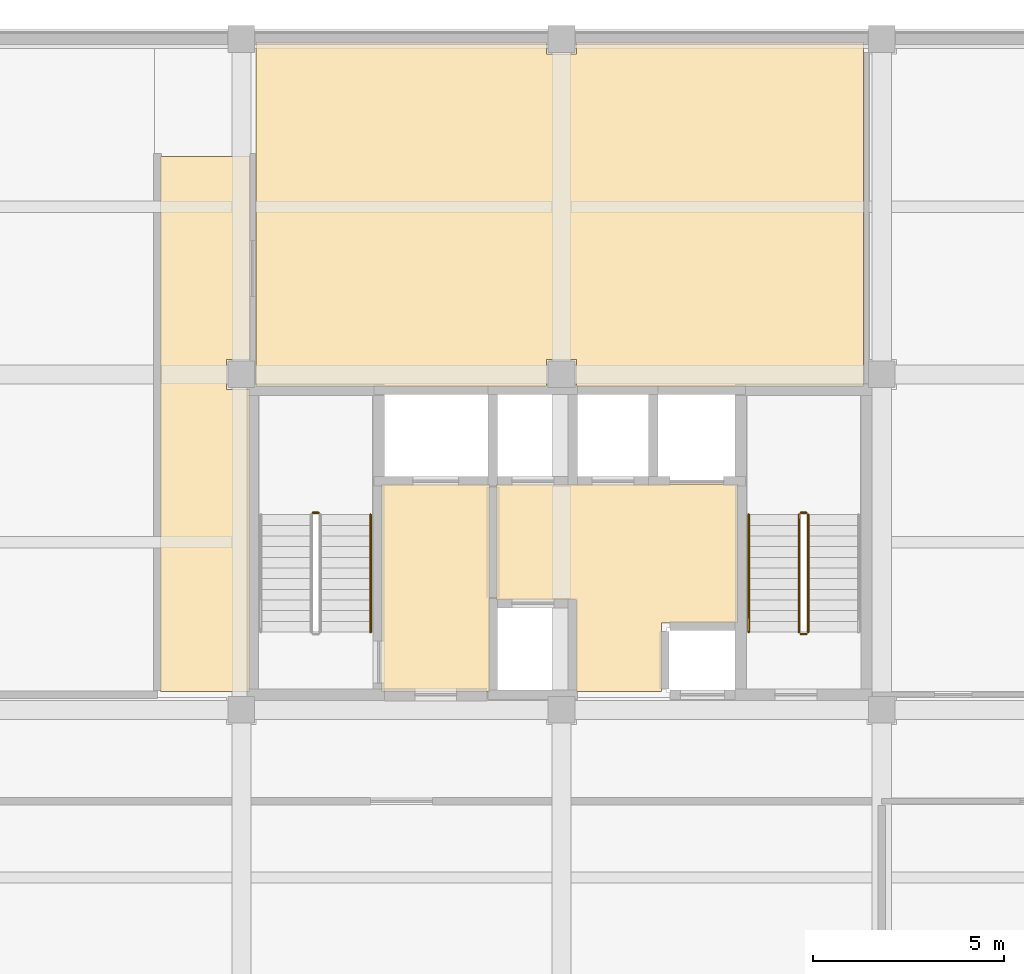
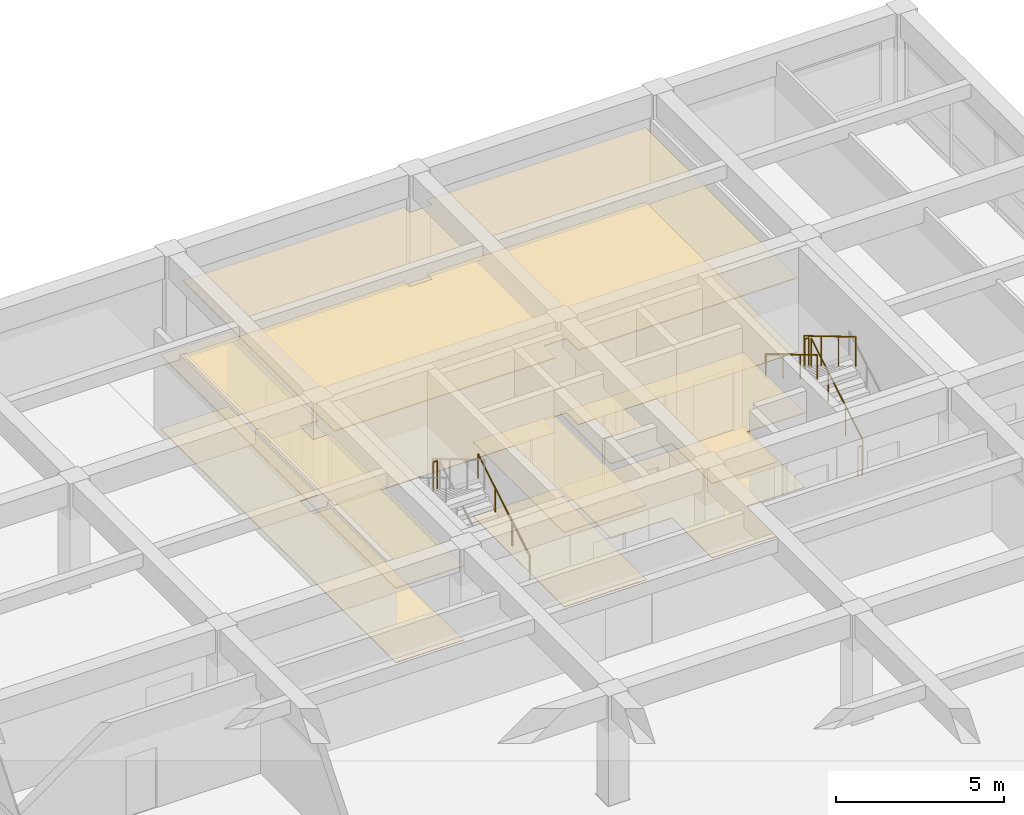
# One storey, part 13 of 14: 8 coverings, 7 railings.
"""IFC4 building model written with IfcOpenShell, lengths in metres."""

from ifc_helpers import new_model, si_unit, direction, frame, origin, origin_2d, place, context, subcontext, project, spatial, polyline, circle, outline, extrude, material, layer, layer_set, type_object, element, save


model = new_model("IFC4")

# Units and contexts
model_context = context("Model", 3, precision=1e-05, world=origin(), true_north=direction((0.0, 1.0)))
body_context = subcontext(model_context, "Body", "Model", "MODEL_VIEW")
ifc_project = project(units=[si_unit("LENGTHUNIT", "METRE"), si_unit("AREAUNIT", "SQUARE_METRE"), si_unit("VOLUMEUNIT", "CUBIC_METRE"), si_unit("PLANEANGLEUNIT", "RADIAN"), si_unit("MASSUNIT", "GRAM", prefix="KILO")], contexts=[model_context])

# Site, building, storey
site_placement = place(None, origin())
site = spatial("IfcSite", under=ifc_project, at=site_placement, CompositionType="ELEMENT")
building_placement = place(site_placement, origin())
building = spatial("IfcBuilding", under=site, at=building_placement, Name="Kemercrest Conservatory and Botanical Centre", CompositionType="ELEMENT")
storey_placement = place(building_placement, frame((0.0, 0.0, 28.800048828125)))
storey = spatial("IfcBuildingStorey", under=building, at=storey_placement, Name="L07", CompositionType="ELEMENT", Elevation=28.800048828125)

# Coverings
ifc_material_1 = material(Name="Perforated acoustic gypsum and mineral-fibre suspended ceiling", Category="gypsum")
ifc_layer_1 = layer(ifc_material_1, 0.034912109375)
ifc_layer_set_1 = layer_set([ifc_layer_1], Name="Perforated acoustic gypsum and mineral-fibre suspended ceiling")
covering_type_1 = type_object("IfcCoveringType", Name="CV-CLG035", PredefinedType="CEILING", material=ifc_layer_set_1)
covering_1_placement = place(storey_placement, frame((0.0, 0.0, 2.699951171875)))
element("IfcCovering", 1, at=covering_1_placement, inside=storey, type_object=covering_type_1, Name="Firefighting Lobby suspended acoustic ceiling", PredefinedType="CEILING", context=body_context, shape_type="SweptSolid", body=[
    extrude(outline(polyline([(154.47998046875, 105.280029296875), (157.320068359375, 105.280029296875), (157.320068359375, 110.719970703125), (154.47998046875, 110.719970703125), (154.47998046875, 105.280029296875)])), origin(), (0.0, 0.0, 1.0), 0.034912109375),
])
covering_2_placement = place(storey_placement, frame((0.0, 0.0, 2.699951171875)))
element("IfcCovering", 2, at=covering_2_placement, inside=storey, type_object=covering_type_1, Name="Tower Lift Lobby suspended acoustic ceiling", PredefinedType="CEILING", context=body_context, shape_type="SweptSolid", body=[
    extrude(outline(polyline([(159.580078125, 107.679931640625), (159.580078125, 105.280029296875), (161.820068359375, 105.280029296875), (161.820068359375, 107.080078125), (163.820068359375, 107.080078125), (163.820068359375, 110.719970703125), (157.47998046875, 110.719970703125), (157.47998046875, 107.679931640625), (159.580078125, 107.679931640625)])), origin(), (0.0, 0.0, 1.0), 0.034912109375),
])
covering_3_placement = place(storey_placement, frame((0.0, 0.0, 2.699951171875)))
element("IfcCovering", 3, at=covering_3_placement, inside=storey, type_object=covering_type_1, Name="Archival Conservation Office suspended acoustic ceiling", PredefinedType="CEILING", context=body_context, shape_type="SweptSolid", body=[
    extrude(outline(polyline([(159.590087890625, 113.280029296875), (167.1201171875, 113.280029296875), (167.1201171875, 122.320068359375), (159.590087890625, 122.320068359375), (159.590087890625, 122.010009765625), (158.81005859375, 122.010009765625), (158.81005859375, 122.320068359375), (151.18994140625, 122.320068359375), (151.18994140625, 122.010009765625), (151.179931640625, 122.010009765625), (151.179931640625, 113.989990234375), (151.18994140625, 113.989990234375), (151.18994140625, 113.280029296875), (158.81005859375, 113.280029296875), (158.81005859375, 113.989990234375), (159.590087890625, 113.989990234375), (159.590087890625, 113.280029296875)])), origin(), (0.0, 0.0, 1.0), 0.034912109375),
])
covering_4_placement = place(storey_placement, frame((0.0, 0.0, 2.699951171875)))
element("IfcCovering", 4, at=covering_4_placement, inside=storey, type_object=covering_type_1, Name="North Core Lobby Branch suspended acoustic ceiling", PredefinedType="CEILING", context=body_context, shape_type="SweptSolid", body=[
    extrude(outline(polyline([(148.679931640625, 105.280029296875), (151.02001953125, 105.280029296875), (151.02001953125, 113.2099609375), (150.409912109375, 113.2099609375), (150.409912109375, 113.989990234375), (151.02001953125, 113.989990234375), (151.02001953125, 119.320068359375), (148.679931640625, 119.320068359375), (148.679931640625, 105.280029296875)])), origin(), (0.0, 0.0, 1.0), 0.034912109375),
])
ifc_material_2 = material(Name="Polished limestone terrazzo and seamless laboratory epoxy flooring", Category="masonry")
ifc_layer_2 = layer(ifc_material_2, 0.02001953125)
ifc_layer_set_2 = layer_set([ifc_layer_2], Name="Polished limestone terrazzo and seamless laboratory epoxy flooring")
covering_type_2 = type_object("IfcCoveringType", Name="CV-FLR020", PredefinedType="FLOORING", material=ifc_layer_set_2)
covering_5_placement = place(storey_placement, origin())
element("IfcCovering", 5, at=covering_5_placement, inside=storey, type_object=covering_type_2, Name="Firefighting Lobby floor finish", PredefinedType="FLOORING", context=body_context, shape_type="SweptSolid", body=[
    extrude(outline(polyline([(154.47998046875, 105.280029296875), (157.320068359375, 105.280029296875), (157.320068359375, 110.719970703125), (154.47998046875, 110.719970703125), (154.47998046875, 105.280029296875)])), origin(), (0.0, 0.0, 1.0), 0.02001953125),
])
covering_6_placement = place(storey_placement, origin())
element("IfcCovering", 6, at=covering_6_placement, inside=storey, type_object=covering_type_2, Name="Tower Lift Lobby floor finish", PredefinedType="FLOORING", context=body_context, shape_type="SweptSolid", body=[
    extrude(outline(polyline([(159.580078125, 107.679931640625), (159.580078125, 105.280029296875), (161.820068359375, 105.280029296875), (161.820068359375, 107.080078125), (163.820068359375, 107.080078125), (163.820068359375, 110.719970703125), (157.47998046875, 110.719970703125), (157.47998046875, 107.679931640625), (159.580078125, 107.679931640625)])), origin(), (0.0, 0.0, 1.0), 0.02001953125),
])
covering_7_placement = place(storey_placement, origin())
element("IfcCovering", 7, at=covering_7_placement, inside=storey, type_object=covering_type_2, Name="Archival Conservation Office floor finish", PredefinedType="FLOORING", context=body_context, shape_type="SweptSolid", body=[
    extrude(outline(polyline([(159.590087890625, 113.280029296875), (167.1201171875, 113.280029296875), (167.1201171875, 122.320068359375), (159.590087890625, 122.320068359375), (159.590087890625, 122.010009765625), (158.81005859375, 122.010009765625), (158.81005859375, 122.320068359375), (151.18994140625, 122.320068359375), (151.18994140625, 122.010009765625), (151.179931640625, 122.010009765625), (151.179931640625, 113.989990234375), (151.18994140625, 113.989990234375), (151.18994140625, 113.280029296875), (158.81005859375, 113.280029296875), (158.81005859375, 113.989990234375), (159.590087890625, 113.989990234375), (159.590087890625, 113.280029296875)])), origin(), (0.0, 0.0, 1.0), 0.02001953125),
])
covering_8_placement = place(storey_placement, origin())
element("IfcCovering", 8, at=covering_8_placement, inside=storey, type_object=covering_type_2, Name="North Core Lobby Branch floor finish", PredefinedType="FLOORING", context=body_context, shape_type="SweptSolid", body=[
    extrude(outline(polyline([(148.679931640625, 105.280029296875), (151.02001953125, 105.280029296875), (151.02001953125, 113.2099609375), (150.409912109375, 113.2099609375), (150.409912109375, 113.989990234375), (151.02001953125, 113.989990234375), (151.02001953125, 119.320068359375), (148.679931640625, 119.320068359375), (148.679931640625, 105.280029296875)])), origin(), (0.0, 0.0, 1.0), 0.02001953125),
])

# Railings
ifc_material_3 = material(Name="Painted galvanized steel tubular stair guardrail", Category="steel")
railing_type_1 = type_object("IfcRailingType", Name="GR-STR110", PredefinedType="GUARDRAIL", material=ifc_material_3)
railing_1_placement = place(storey_placement, frame((152.820068359375, 109.969970703125, 2.0)))
element("IfcRailing", 9, at=railing_1_placement, inside=storey, type_object=railing_type_1, Name="L07 ST-V4A stair guard 2", PredefinedType="GUARDRAIL", context=body_context, shape_type="SweptSolid", body=[
    extrude(circle(Radius=0.02392578125, at=origin_2d()), frame((0.0, 0.0, 1.076171875), z_axis=(-1.0, 0.0, 0.0), x_axis=(0.0, -1.0, 0.0)), (0.0, 0.0, 1.0), 0.14013671875),
    extrude(circle(Radius=0.02099609375, at=origin_2d()), origin(), (0.0, 0.0, 1.0), 1.052001953125),
    extrude(circle(Radius=0.02099609375, at=origin_2d()), frame((-0.14013671875, 0.0, 0.0)), (0.0, 0.0, 1.0), 1.052001953125),
])
railing_2_placement = place(storey_placement, frame((165.669921875, 106.840087890625, 0.16650390625)))
element("IfcRailing", 10, at=railing_2_placement, inside=storey, type_object=railing_type_1, Name="L07 ST-V4B stair guard 1", PredefinedType="GUARDRAIL", context=body_context, shape_type="SweptSolid", body=[
    extrude(circle(Radius=0.02392578125, at=origin_2d()), frame((0.0, 0.0, 1.076171875), z_axis=(0.0, 0.859260807169, 0.511537745687), x_axis=(-1.0, 0.0, 0.0)), (0.0, 0.0, 1.0), 3.584228515625),
    extrude(circle(Radius=0.02099609375, at=origin_2d()), origin(), (0.0, 0.0, 1.0), 1.052001953125),
    extrude(circle(Radius=0.02099609375, at=origin_2d()), frame((0.0, 1.026611328125, 0.611083984375)), (0.0, 0.0, 1.0), 1.052001953125),
    extrude(circle(Radius=0.02099609375, at=origin_2d()), frame((0.0, 2.05322265625, 1.222412109375)), (0.0, 0.0, 1.0), 1.052001953125),
    extrude(circle(Radius=0.02099609375, at=origin_2d()), frame((0.0, 3.079833984375, 1.83349609375)), (0.0, 0.0, 1.0), 1.052001953125),
])
railing_3_placement = place(storey_placement, frame((165.6201171875, 109.969970703125, 2.0)))
element("IfcRailing", 11, at=railing_3_placement, inside=storey, type_object=railing_type_1, Name="L07 ST-V4B stair guard 2", PredefinedType="GUARDRAIL", context=body_context, shape_type="SweptSolid", body=[
    extrude(circle(Radius=0.02392578125, at=origin_2d()), frame((0.0, 0.0, 1.076171875), z_axis=(-1.0, 0.0, 0.0), x_axis=(0.0, -1.0, 0.0)), (0.0, 0.0, 1.0), 0.14013671875),
    extrude(circle(Radius=0.02099609375, at=origin_2d()), origin(), (0.0, 0.0, 1.0), 1.052001953125),
    extrude(circle(Radius=0.02099609375, at=origin_2d()), frame((-0.14013671875, 0.0, 0.0)), (0.0, 0.0, 1.0), 1.052001953125),
])
railing_4_placement = place(storey_placement, frame((165.429931640625, 109.919921875, 2.16650390625)))
element("IfcRailing", 12, at=railing_4_placement, inside=storey, type_object=railing_type_1, Name="L07 ST-V4B stair guard 3", PredefinedType="GUARDRAIL", context=body_context, shape_type="SweptSolid", body=[
    extrude(circle(Radius=0.02392578125, at=origin_2d()), frame((0.0, 0.0, 1.076171875), z_axis=(0.0, -0.859260807169, 0.511537745687), x_axis=(1.0, 0.0, 0.0)), (0.0, 0.0, 1.0), 3.584228515625),
    extrude(circle(Radius=0.02099609375, at=origin_2d()), origin(), (0.0, 0.0, 1.0), 1.052001953125),
    extrude(circle(Radius=0.02099609375, at=origin_2d()), frame((0.0, -1.026611328125, 0.611083984375)), (0.0, 0.0, 1.0), 1.052001953125),
    extrude(circle(Radius=0.02099609375, at=origin_2d()), frame((0.0, -2.05322265625, 1.222412109375)), (0.0, 0.0, 1.0), 1.052001953125),
    extrude(circle(Radius=0.02099609375, at=origin_2d()), frame((0.0, -3.079833984375, 1.83349609375)), (0.0, 0.0, 1.0), 1.052001953125),
])
railing_5_placement = place(storey_placement, frame((165.6201171875, 106.7900390625, 0.0)))
element("IfcRailing", 13, at=railing_5_placement, inside=storey, type_object=railing_type_1, Name="L07 ST-V4B stair guard 4", PredefinedType="GUARDRAIL", context=body_context, shape_type="SweptSolid", body=[
    extrude(circle(Radius=0.02392578125, at=origin_2d()), frame((0.0, 0.0, 1.076171875), z_axis=(-1.0, 0.0, 0.0), x_axis=(0.0, -1.0, 0.0)), (0.0, 0.0, 1.0), 0.14013671875),
    extrude(circle(Radius=0.02099609375, at=origin_2d()), origin(), (0.0, 0.0, 1.0), 1.052001953125),
    extrude(circle(Radius=0.02099609375, at=origin_2d()), frame((-0.14013671875, 0.0, 0.0)), (0.0, 0.0, 1.0), 1.052001953125),
])
ifc_material_4 = material(Name="Brushed stainless steel wall-mounted handrail", Category="steel")
railing_type_2 = type_object("IfcRailingType", Name="HR-STR090", PredefinedType="HANDRAIL", material=ifc_material_4)
railing_6_placement = place(storey_placement, frame((154.18994140625, 106.840087890625, 0.16650390625)))
element("IfcRailing", 14, at=railing_6_placement, inside=storey, type_object=railing_type_2, Name="L07 ST-V4A stair handrail 1", PredefinedType="HANDRAIL", context=body_context, shape_type="SweptSolid", body=[
    extrude(circle(Radius=0.02392578125, at=origin_2d()), frame((0.0, 0.0, 0.8759765625), z_axis=(0.0, 0.859260807169, 0.511537745687), x_axis=(-1.0, 0.0, 0.0)), (0.0, 0.0, 1.0), 3.584228515625),
    extrude(circle(Radius=0.02099609375, at=origin_2d()), origin(), (0.0, 0.0, 1.0), 0.851806640625),
    extrude(circle(Radius=0.02099609375, at=origin_2d()), frame((0.0, 1.026611328125, 0.611083984375)), (0.0, 0.0, 1.0), 0.851806640625),
    extrude(circle(Radius=0.02099609375, at=origin_2d()), frame((0.0, 2.05322265625, 1.222412109375)), (0.0, 0.0, 1.0), 0.851806640625),
    extrude(circle(Radius=0.02099609375, at=origin_2d()), frame((0.0, 3.079833984375, 1.83349609375)), (0.0, 0.0, 1.0), 0.851806640625),
])
railing_7_placement = place(storey_placement, frame((164.110107421875, 109.919921875, 2.16650390625)))
element("IfcRailing", 15, at=railing_7_placement, inside=storey, type_object=railing_type_2, Name="L07 ST-V4B stair handrail 2", PredefinedType="HANDRAIL", context=body_context, shape_type="SweptSolid", body=[
    extrude(circle(Radius=0.02392578125, at=origin_2d()), frame((0.0, 0.0, 0.8759765625), z_axis=(0.0, -0.859260807169, 0.511537745687), x_axis=(1.0, 0.0, 0.0)), (0.0, 0.0, 1.0), 3.584228515625),
    extrude(circle(Radius=0.02099609375, at=origin_2d()), origin(), (0.0, 0.0, 1.0), 0.851806640625),
    extrude(circle(Radius=0.02099609375, at=origin_2d()), frame((0.0, -1.026611328125, 0.611083984375)), (0.0, 0.0, 1.0), 0.851806640625),
    extrude(circle(Radius=0.02099609375, at=origin_2d()), frame((0.0, -2.05322265625, 1.222412109375)), (0.0, 0.0, 1.0), 0.851806640625),
    extrude(circle(Radius=0.02099609375, at=origin_2d()), frame((0.0, -3.079833984375, 1.83349609375)), (0.0, 0.0, 1.0), 0.851806640625),
])

save(model, "model.ifc")
